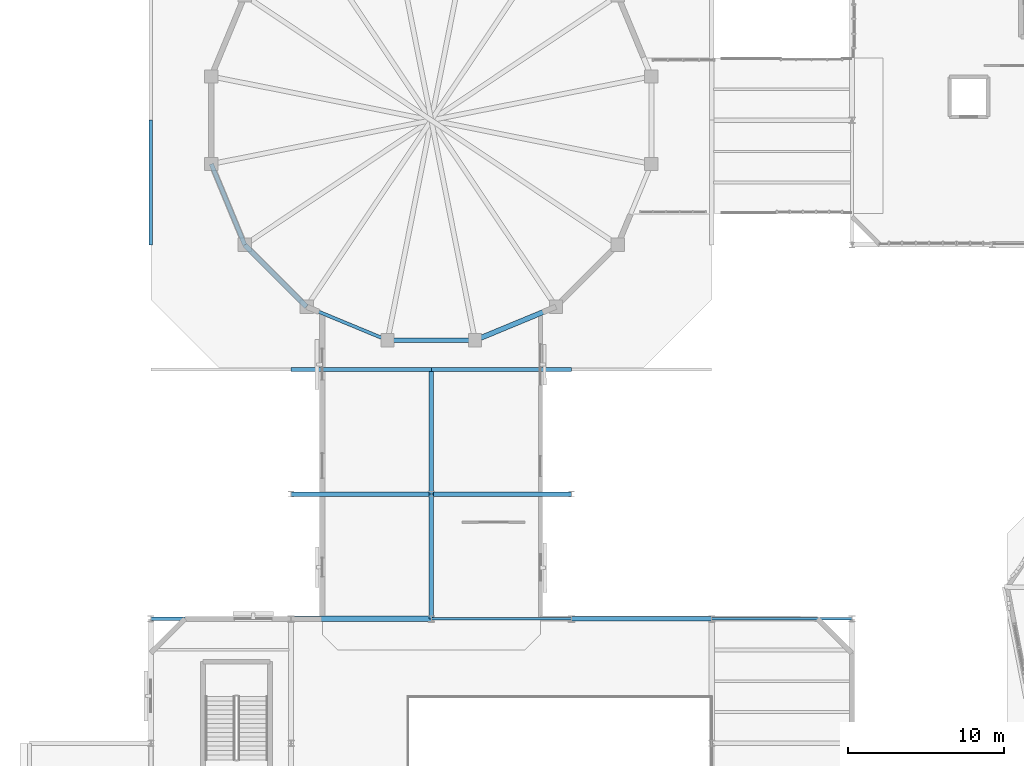
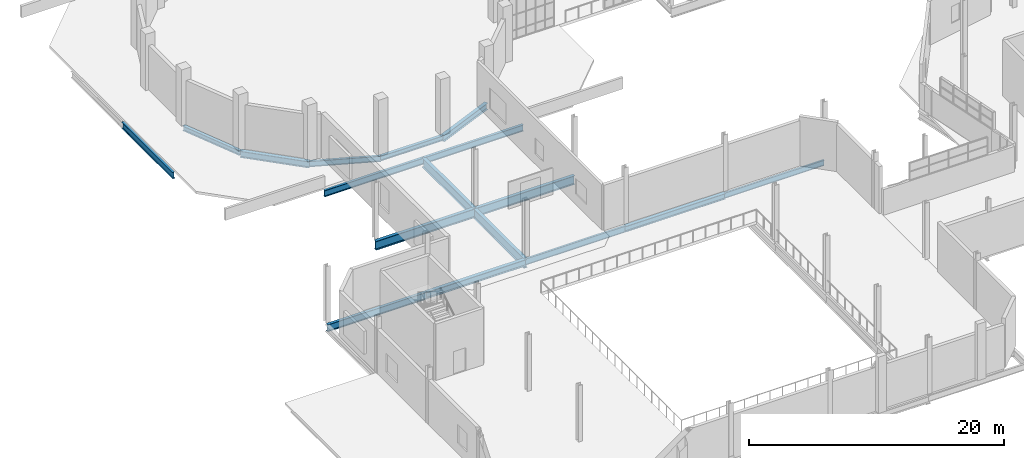
# One storey, part 19 of 142: 17 beams.
"""IFC4 building model written with IfcOpenShell, lengths in metres."""

from ifc_helpers import new_model, si_unit, direction, frame, origin, origin_2d, place, context, subcontext, project, spatial, i_section, extrude, material, material_profile, profile_set, type_object, element, save


model = new_model("IFC4")

# Units and contexts
model_context = context("Model", 3, precision=1e-05, world=origin(), true_north=direction((0.0, 1.0)))
body_context = subcontext(model_context, "Body", "Model", "MODEL_VIEW")
ifc_project = project(units=[si_unit("LENGTHUNIT", "METRE"), si_unit("AREAUNIT", "SQUARE_METRE"), si_unit("VOLUMEUNIT", "CUBIC_METRE"), si_unit("PLANEANGLEUNIT", "RADIAN"), si_unit("MASSUNIT", "GRAM", prefix="KILO"), si_unit("THERMODYNAMICTEMPERATUREUNIT", "KELVIN"), si_unit("POWERUNIT", "WATT")], contexts=[model_context])

# Site, building, storey
site_placement = place(None, origin())
site = spatial("IfcSite", under=ifc_project, at=site_placement, CompositionType="ELEMENT")
building_placement = place(site_placement, origin())
building = spatial("IfcBuilding", under=site, at=building_placement, Name="Zelmaris Science Centre", CompositionType="ELEMENT")
storey_placement = place(building_placement, frame((0.0, 0.0, 5.39990234375)))
storey = spatial("IfcBuildingStorey", under=building, at=storey_placement, Name="L01", CompositionType="ELEMENT", Elevation=5.39990234375)

# Beams
ifc_material = material(Name="Steel ASTM A992 Grade 50", Category="steel")
ifc_material_profile_1 = material_profile(ifc_material, i_section(OverallWidth=0.294921875, OverallDepth=0.85107421875, WebThickness=0.01611328125, FlangeThickness=0.02685546875, FilletRadius=0.02001953125, at=origin_2d()), Name="W33X152")
ifc_profile_set_1 = profile_set([ifc_material_profile_1], Name="Steel ASTM A992 Grade 50")
beam_type_1 = type_object("IfcBeamType", Name="Beam G-06 W33X152", PredefinedType="BEAM", material=ifc_profile_set_1)
beam_1_placement = place(storey_placement, frame((18.0, 48.0, -0.705322265625), z_axis=(1.0, 0.0, 0.0), x_axis=(0.0, 1.0, 0.0)))
element("IfcBeam", 1, at=beam_1_placement, inside=storey, type_object=beam_type_1, Name="L01 East-west girder 374", PredefinedType="BEAM", context=body_context, shape_type="SweptSolid", body=[
    extrude(i_section(OverallWidth=0.294921875, OverallDepth=0.85107421875, WebThickness=0.01611328125, FlangeThickness=0.02685546875, FilletRadius=0.02001953125, at=origin_2d()), origin(), (0.0, 0.0, 1.0), 9.0),
])
ifc_material_profile_2 = material_profile(ifc_material, i_section(OverallWidth=0.2919921875, OverallDepth=0.841064453125, WebThickness=0.0146484375, FlangeThickness=0.021728515625, FilletRadius=0.02001953125, at=origin_2d()), Name="W33X130")
ifc_profile_set_2 = profile_set([ifc_material_profile_2], Name="Steel ASTM A992 Grade 50")
beam_type_2 = type_object("IfcBeamType", Name="Beam G-07 W33X130", PredefinedType="BEAM", material=ifc_profile_set_2)
beam_2_placement = place(storey_placement, frame((27.0, 48.0, -0.700439453125), z_axis=(1.0, 0.0, 0.0), x_axis=(0.0, 1.0, 0.0)))
element("IfcBeam", 2, at=beam_2_placement, inside=storey, type_object=beam_type_2, Name="L01 East-west girder 375", PredefinedType="BEAM", context=body_context, shape_type="SweptSolid", body=[
    extrude(i_section(OverallWidth=0.2919921875, OverallDepth=0.841064453125, WebThickness=0.0146484375, FlangeThickness=0.021728515625, FilletRadius=0.02001953125, at=origin_2d()), origin(), (0.0, 0.0, 1.0), 9.0),
])
ifc_material_profile_3 = material_profile(ifc_material, i_section(OverallWidth=0.22900390625, OverallDepth=0.612060546875, WebThickness=0.011962890625, FlangeThickness=0.01953125, FilletRadius=0.014892578125, at=origin_2d()), Name="W24X84")
ifc_profile_set_3 = profile_set([ifc_material_profile_3], Name="Steel ASTM A992 Grade 50")
beam_type_3 = type_object("IfcBeamType", Name="Beam G-16 W24X84", PredefinedType="BEAM", material=ifc_profile_set_3)
beam_3_placement = place(storey_placement, frame((9.0, 64.0, -0.5859375), z_axis=(0.0, 1.0, 0.0), x_axis=(-1.0, 0.0, 0.0)))
element("IfcBeam", 3, at=beam_3_placement, inside=storey, type_object=beam_type_3, Name="L01 North-south girder 257", PredefinedType="BEAM", context=body_context, shape_type="SweptSolid", body=[
    extrude(i_section(OverallWidth=0.22900390625, OverallDepth=0.612060546875, WebThickness=0.011962890625, FlangeThickness=0.01953125, FilletRadius=0.014892578125, at=origin_2d()), origin(), (0.0, 0.0, 1.0), 8.0),
])
beam_4_placement = place(storey_placement, frame((18.0, 56.0, -0.5859375), z_axis=(1.0, 0.0, 0.0), x_axis=(0.0, 1.0, 0.0)))
element("IfcBeam", 4, at=beam_4_placement, inside=storey, type_object=beam_type_3, Name="L01 East-west girder 381", PredefinedType="BEAM", context=body_context, shape_type="SweptSolid", body=[
    extrude(i_section(OverallWidth=0.22900390625, OverallDepth=0.612060546875, WebThickness=0.011962890625, FlangeThickness=0.01953125, FilletRadius=0.014892578125, at=origin_2d()), origin(), (0.0, 0.0, 1.0), 9.0),
])
ifc_material_profile_4 = material_profile(ifc_material, i_section(OverallWidth=0.22900390625, OverallDepth=0.60205078125, WebThickness=0.010498046875, FlangeThickness=0.014892578125, FilletRadius=0.014892578125, at=origin_2d()), Name="W24X68")
ifc_profile_set_4 = profile_set([ifc_material_profile_4], Name="Steel ASTM A992 Grade 50")
beam_type_4 = type_object("IfcBeamType", Name="Beam G-17 W24X68", PredefinedType="BEAM", material=ifc_profile_set_4)
beam_5_placement = place(storey_placement, frame((27.0, 56.0, -0.580810546875), z_axis=(1.0, 0.0, 0.0), x_axis=(0.0, 1.0, 0.0)))
element("IfcBeam", 5, at=beam_5_placement, inside=storey, type_object=beam_type_4, Name="L01 East-west girder 382", PredefinedType="BEAM", context=body_context, shape_type="SweptSolid", body=[
    extrude(i_section(OverallWidth=0.22900390625, OverallDepth=0.60205078125, WebThickness=0.010498046875, FlangeThickness=0.014892578125, FilletRadius=0.014892578125, at=origin_2d()), origin(), (0.0, 0.0, 1.0), 9.0),
])
ifc_material_profile_5 = material_profile(ifc_material, i_section(OverallWidth=0.304931640625, OverallDepth=0.9189453125, WebThickness=0.017333984375, FlangeThickness=0.02783203125, FilletRadius=0.02392578125, at=origin_2d()), Name="W36X170")
ifc_profile_set_5 = profile_set([ifc_material_profile_5], Name="Steel ASTM A992 Grade 50")
beam_type_5 = type_object("IfcBeamType", Name="Beam G-26 W36X170", PredefinedType="BEAM", material=ifc_profile_set_5)
beam_6_placement = place(storey_placement, frame((27.0, 40.0, -0.739501953125), z_axis=(0.0, 1.0, 0.0), x_axis=(-1.0, 0.0, 0.0)))
element("IfcBeam", 6, at=beam_6_placement, inside=storey, type_object=beam_type_5, Name="L01 North-south girder 263", PredefinedType="BEAM", context=body_context, shape_type="SweptSolid", body=[
    extrude(i_section(OverallWidth=0.304931640625, OverallDepth=0.9189453125, WebThickness=0.017333984375, FlangeThickness=0.02783203125, FilletRadius=0.02392578125, at=origin_2d()), origin(), (0.0, 0.0, 1.0), 8.0),
])
ifc_material_profile_6 = material_profile(ifc_material, i_section(OverallWidth=0.304931640625, OverallDepth=0.912109375, WebThickness=0.015869140625, FlangeThickness=0.02392578125, FilletRadius=0.02392578125, at=origin_2d()), Name="W36X150")
ifc_profile_set_6 = profile_set([ifc_material_profile_6], Name="Steel ASTM A992 Grade 50")
beam_type_6 = type_object("IfcBeamType", Name="Beam G-27 W36X150", PredefinedType="BEAM", material=ifc_profile_set_6)
beam_7_placement = place(storey_placement, frame((27.0, 48.0, -0.73583984375), z_axis=(0.0, 1.0, 0.0), x_axis=(-1.0, 0.0, 0.0)))
element("IfcBeam", 7, at=beam_7_placement, inside=storey, type_object=beam_type_6, Name="L01 North-south girder 264", PredefinedType="BEAM", context=body_context, shape_type="SweptSolid", body=[
    extrude(i_section(OverallWidth=0.304931640625, OverallDepth=0.912109375, WebThickness=0.015869140625, FlangeThickness=0.02392578125, FilletRadius=0.02392578125, at=origin_2d()), origin(), (0.0, 0.0, 1.0), 8.0),
])
ifc_material_profile_7 = material_profile(ifc_material, i_section(OverallWidth=0.25390625, OverallDepth=0.677978515625, WebThickness=0.01171875, FlangeThickness=0.016357421875, FilletRadius=0.01806640625, at=origin_2d()), Name="W27X84")
ifc_profile_set_7 = profile_set([ifc_material_profile_7], Name="Steel ASTM A992 Grade 50")
beam_type_7 = type_object("IfcBeamType", Name="Beam G-36 W27X84", PredefinedType="BEAM", material=ifc_profile_set_7)
beam_8_placement = place(storey_placement, frame((9.0, 40.0, -0.618896484375), z_axis=(1.0, 0.0, 0.0), x_axis=(0.0, 1.0, 0.0)))
element("IfcBeam", 8, at=beam_8_placement, inside=storey, type_object=beam_type_7, Name="L01 East-west girder 366", PredefinedType="BEAM", context=body_context, shape_type="SweptSolid", body=[
    extrude(i_section(OverallWidth=0.25390625, OverallDepth=0.677978515625, WebThickness=0.01171875, FlangeThickness=0.016357421875, FilletRadius=0.01806640625, at=origin_2d()), origin(), (0.0, 0.0, 1.0), 9.0),
])
ifc_material_profile_8 = material_profile(ifc_material, i_section(OverallWidth=0.327880859375, OverallDepth=0.626953125, WebThickness=0.0166015625, FlangeThickness=0.027587890625, FilletRadius=0.014892578125, at=origin_2d()), Name="W24X146")
ifc_profile_set_8 = profile_set([ifc_material_profile_8], Name="Steel ASTM A992 Grade 50")
beam_type_8 = type_object("IfcBeamType", Name="Beam G-37 W24X146", PredefinedType="BEAM", material=ifc_profile_set_8)
beam_9_placement = place(storey_placement, frame((18.0, 40.0, -0.593505859375), z_axis=(1.0, 0.0, 0.0), x_axis=(0.0, 1.0, 0.0)))
element("IfcBeam", 9, at=beam_9_placement, inside=storey, type_object=beam_type_8, Name="L01 East-west girder 367", PredefinedType="BEAM", context=body_context, shape_type="SweptSolid", body=[
    extrude(i_section(OverallWidth=0.327880859375, OverallDepth=0.626953125, WebThickness=0.0166015625, FlangeThickness=0.027587890625, FilletRadius=0.014892578125, at=origin_2d()), origin(), (0.0, 0.0, 1.0), 9.0),
])
ifc_material_profile_9 = material_profile(ifc_material, i_section(OverallWidth=0.177978515625, OverallDepth=0.59912109375, WebThickness=0.010009765625, FlangeThickness=0.0126953125, FilletRadius=0.014892578125, at=origin_2d()), Name="W24X55")
ifc_profile_set_9 = profile_set([ifc_material_profile_9], Name="Steel ASTM A992 Grade 50")
beam_type_9 = type_object("IfcBeamType", Name="Beam G-38 W24X55", PredefinedType="BEAM", material=ifc_profile_set_9)
beam_10_placement = place(storey_placement, frame((27.0, 40.0, -0.579345703125), z_axis=(1.0, 0.0, 0.0), x_axis=(0.0, 1.0, 0.0)))
element("IfcBeam", 10, at=beam_10_placement, inside=storey, type_object=beam_type_9, Name="L01 East-west girder 368", PredefinedType="BEAM", context=body_context, shape_type="SweptSolid", body=[
    extrude(i_section(OverallWidth=0.177978515625, OverallDepth=0.59912109375, WebThickness=0.010009765625, FlangeThickness=0.0126953125, FilletRadius=0.014892578125, at=origin_2d()), origin(), (0.0, 0.0, 1.0), 9.0),
])
ifc_material_profile_10 = material_profile(ifc_material, i_section(OverallWidth=0.31201171875, OverallDepth=0.5458984375, WebThickness=0.013916015625, FlangeThickness=0.022216796875, FilletRadius=0.013916015625, at=origin_2d()), Name="W21X111")
ifc_profile_set_10 = profile_set([ifc_material_profile_10], Name="Steel ASTM A992 Grade 50")
beam_type_10 = type_object("IfcBeamType", Name="Beam G-39 W21X111", PredefinedType="BEAM", material=ifc_profile_set_10)
beam_11_placement = place(storey_placement, frame((36.0, 40.0, -0.552978515625), z_axis=(1.0, 0.0, 0.0), x_axis=(0.0, 1.0, 0.0)))
element("IfcBeam", 11, at=beam_11_placement, inside=storey, type_object=beam_type_10, Name="L01 East-west girder 369", PredefinedType="BEAM", context=body_context, shape_type="SweptSolid", body=[
    extrude(i_section(OverallWidth=0.31201171875, OverallDepth=0.5458984375, WebThickness=0.013916015625, FlangeThickness=0.022216796875, FilletRadius=0.013916015625, at=origin_2d()), origin(), (0.0, 0.0, 1.0), 9.0),
])
ifc_material_profile_11 = material_profile(ifc_material, i_section(OverallWidth=0.1650390625, OverallDepth=0.52587890625, WebThickness=0.0087890625, FlangeThickness=0.011474609375, FilletRadius=0.013916015625, at=origin_2d()), Name="W21X44")
ifc_profile_set_11 = profile_set([ifc_material_profile_11], Name="Steel ASTM A992 Grade 50")
beam_type_11 = type_object("IfcBeamType", Name="Beam G-40 W21X44", PredefinedType="BEAM", material=ifc_profile_set_11)
beam_12_placement = place(storey_placement, frame((45.0, 40.0, -0.54296875), z_axis=(1.0, 0.0, 0.0), x_axis=(0.0, 1.0, 0.0)))
element("IfcBeam", 12, at=beam_12_placement, inside=storey, type_object=beam_type_11, Name="L01 East-west girder 370", PredefinedType="BEAM", context=body_context, shape_type="SweptSolid", body=[
    extrude(i_section(OverallWidth=0.1650390625, OverallDepth=0.52587890625, WebThickness=0.0087890625, FlangeThickness=0.011474609375, FilletRadius=0.013916015625, at=origin_2d()), origin(), (0.0, 0.0, 1.0), 9.0),
])
ifc_material_profile_12 = material_profile(ifc_material, i_section(OverallWidth=0.324951171875, OverallDepth=0.612060546875, WebThickness=0.0126953125, FlangeThickness=0.01904296875, FilletRadius=0.014892578125, at=origin_2d()), Name="W24X104")
ifc_profile_set_12 = profile_set([ifc_material_profile_12], Name="Steel ASTM A992 Grade 50")
beam_type_12 = type_object("IfcBeamType", Name="Beam SP-01 W24X104", PredefinedType="SPANDREL", material=ifc_profile_set_12)
beam_13_placement = place(storey_placement, frame((15.02685546875, 63.999755859375, -0.5859375), z_axis=(0.707106781187, -0.707106781187, 0.0), x_axis=(0.707106781187, 0.707106781187, 0.0)))
element("IfcBeam", 13, at=beam_13_placement, inside=storey, type_object=beam_type_12, Name="L01 Planetarium drum ring beam 10", PredefinedType="SPANDREL", context=body_context, shape_type="SweptSolid", body=[
    extrude(i_section(OverallWidth=0.324951171875, OverallDepth=0.612060546875, WebThickness=0.0126953125, FlangeThickness=0.01904296875, FilletRadius=0.014892578125, at=origin_2d()), origin(), (0.0, 0.0, 1.0), 5.618408203125),
])
beam_14_placement = place(storey_placement, frame((29.809326171875, 57.876708984375, -0.5859375), z_axis=(0.923879667137, 0.38268310735, 0.0), x_axis=(-0.38268310735, 0.923879667137, 0.0)))
element("IfcBeam", 14, at=beam_14_placement, inside=storey, type_object=beam_type_12, Name="L01 Planetarium drum ring beam 13", PredefinedType="SPANDREL", context=body_context, shape_type="SweptSolid", body=[
    extrude(i_section(OverallWidth=0.324951171875, OverallDepth=0.612060546875, WebThickness=0.0126953125, FlangeThickness=0.01904296875, FilletRadius=0.014892578125, at=origin_2d()), origin(), (0.0, 0.0, 1.0), 5.61865234375),
])
ifc_material_profile_13 = material_profile(ifc_material, i_section(OverallWidth=0.2109375, OverallDepth=0.5380859375, WebThickness=0.01171875, FlangeThickness=0.018798828125, FilletRadius=0.013916015625, at=origin_2d()), Name="W21X73")
ifc_profile_set_13 = profile_set([ifc_material_profile_13], Name="Steel ASTM A992 Grade 50")
beam_type_13 = type_object("IfcBeamType", Name="Beam SP-02 W21X73", PredefinedType="SPANDREL", material=ifc_profile_set_13)
beam_15_placement = place(storey_placement, frame((18.999755859375, 60.02685546875, -0.548828125), z_axis=(0.923879667137, -0.38268310735, 0.0), x_axis=(0.38268310735, 0.923879667137, 0.0)))
element("IfcBeam", 15, at=beam_15_placement, inside=storey, type_object=beam_type_13, Name="L01 Planetarium drum ring beam 11", PredefinedType="SPANDREL", context=body_context, shape_type="SweptSolid", body=[
    extrude(i_section(OverallWidth=0.2109375, OverallDepth=0.5380859375, WebThickness=0.01171875, FlangeThickness=0.018798828125, FilletRadius=0.013916015625, at=origin_2d()), origin(), (0.0, 0.0, 1.0), 5.61865234375),
])
ifc_material_profile_14 = material_profile(ifc_material, i_section(OverallWidth=0.279052734375, OverallDepth=0.4619140625, WebThickness=0.0107421875, FlangeThickness=0.017333984375, FilletRadius=0.012939453125, at=origin_2d()), Name="W18X76")
ifc_profile_set_14 = profile_set([ifc_material_profile_14], Name="Steel ASTM A992 Grade 50")
beam_type_14 = type_object("IfcBeamType", Name="Beam SP-03 W18X76", PredefinedType="SPANDREL", material=ifc_profile_set_14)
for number, where, z_axis, x_axis, name in (
    (16, (12.876708984375, 69.190673828125, -0.510986328125), (0.38268310735, -0.923879667137, 0.0), (0.923879667137, 0.38268310735, 0.0), "L01 Planetarium drum ring beam 9"),
    (17, (24.190673828125, 57.876708984375, -0.510986328125), (1.0, 0.0, 0.0), (0.0, 1.0, 0.0), "L01 Planetarium drum ring beam 12"),
):
    element("IfcBeam", number, at=place(storey_placement, frame(where, z_axis=z_axis, x_axis=x_axis)), inside=storey, type_object=beam_type_14, Name=name, PredefinedType="SPANDREL", context=body_context, shape_type="SweptSolid", body=[
        extrude(i_section(OverallWidth=0.279052734375, OverallDepth=0.4619140625, WebThickness=0.0107421875, FlangeThickness=0.017333984375, FilletRadius=0.012939453125, at=origin_2d()), origin(), (0.0, 0.0, 1.0), 5.61865234375),
    ])

save(model, "model.ifc")
